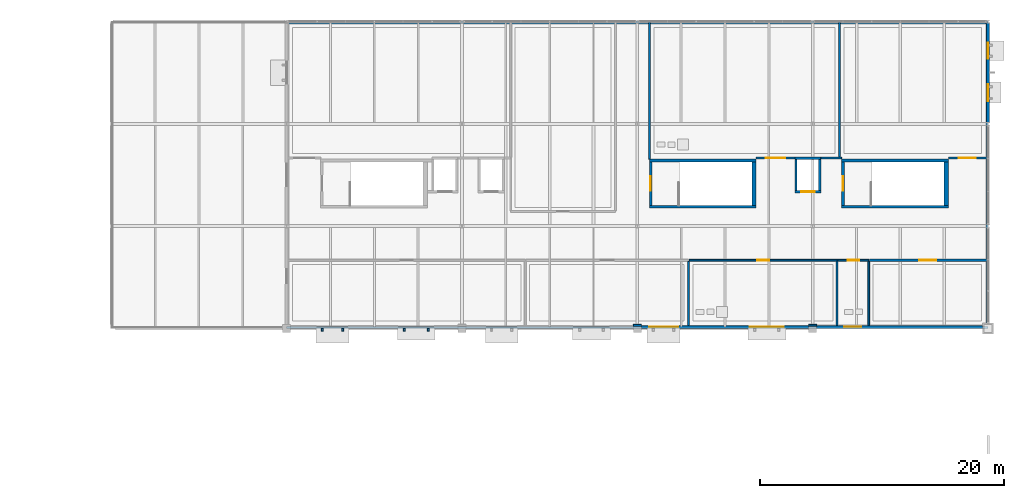
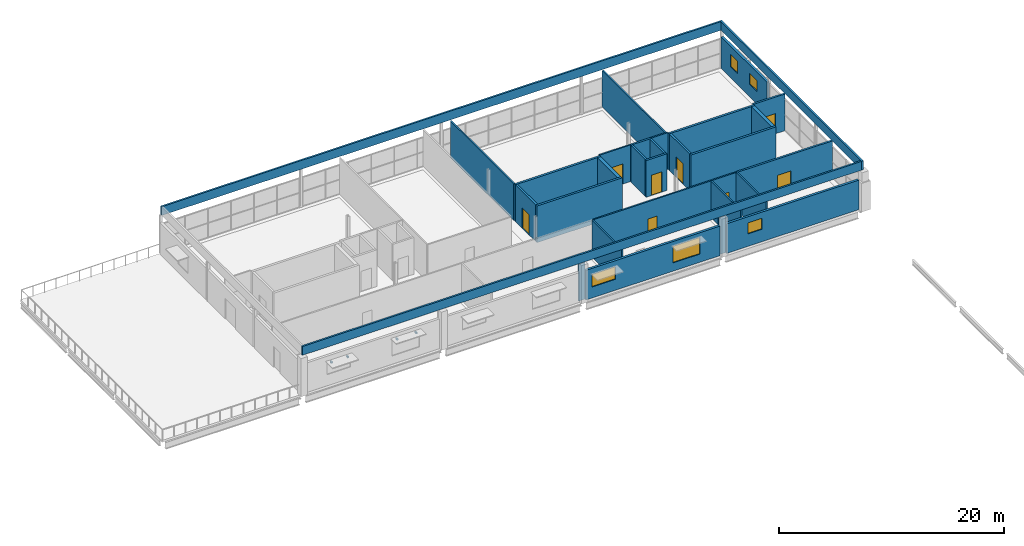
# One storey, part 40 of 43: 31 walls, 8 doors, 5 windows, 4 discrete accessories, 13 openings.
"""IFC4 building model written with IfcOpenShell, lengths in metres."""

from ifc_helpers import new_model, si_unit, direction, frame, frame_2d, origin, origin_2d, place, context, subcontext, project, spatial, rectangle, extrude, material, layer, layer_set, type_object, element, fill, save


model = new_model("IFC4")

# Units and contexts
model_context = context("Model", 3, precision=1e-05, world=origin(), true_north=direction((0.0, 1.0)))
body_context = subcontext(model_context, "Body", "Model", "MODEL_VIEW")
ifc_project = project(units=[si_unit("LENGTHUNIT", "METRE"), si_unit("AREAUNIT", "SQUARE_METRE"), si_unit("VOLUMEUNIT", "CUBIC_METRE"), si_unit("PLANEANGLEUNIT", "RADIAN"), si_unit("MASSUNIT", "GRAM", prefix="KILO"), si_unit("THERMODYNAMICTEMPERATUREUNIT", "KELVIN")], contexts=[model_context])

# Site, building, storey
site_placement = place(None, origin())
site = spatial("IfcSite", under=ifc_project, at=site_placement, CompositionType="ELEMENT")
building_placement = place(site_placement, origin())
building = spatial("IfcBuilding", under=site, at=building_placement, Name="Nduvali Passage Aquatics Centre", CompositionType="ELEMENT")
storey_placement = place(building_placement, frame((0.0, 0.0, 17.39990234375)))
storey = spatial("IfcBuildingStorey", under=building, at=storey_placement, Name="L04", CompositionType="ELEMENT", Elevation=17.39990234375)

# Walls
ifc_material_1 = material(Name="Coral-stone masonry blockwork", Category="masonry")
ifc_layer_1 = layer(ifc_material_1, 0.179931640625, Name="Coral-stone masonry blockwork")
ifc_layer_set_1 = layer_set([ifc_layer_1], Name="Coral-stone masonry blockwork")
wall_type_1 = type_object("IfcWallType", Name="ENV-WAL-PAR180", PredefinedType="PARAPET", material=ifc_layer_set_1)
wall_1_placement = place(storey_placement, frame((68.39990234375, 117.510009765625, 4.2001953125), z_axis=(0.0, 0.0, 1.0), x_axis=(1.0, 0.0, 0.0)))
element("IfcWall", 1, at=wall_1_placement, inside=storey, type_object=wall_type_1, Name="V5 Main Roof North Parapet", PredefinedType="PARAPET", context=body_context, shape_type="SweptSolid", body=[
    extrude(rectangle(XDim=57.60009765625, YDim=0.179931640625, at=frame_2d((28.800048828125, 0.0))), origin(), (0.0, 0.0, 1.0), 0.949951171875),
])
wall_2_placement = place(storey_placement, frame((125.909912109375, 92.39990234375, 4.2001953125), z_axis=(0.0, 0.0, 1.0), x_axis=(0.0, 1.0, 0.0)))
element("IfcWall", 2, at=wall_2_placement, inside=storey, type_object=wall_type_1, Name="V5 Main Roof East Parapet", PredefinedType="PARAPET", context=body_context, shape_type="SweptSolid", body=[
    extrude(rectangle(XDim=25.2001953125, YDim=0.179931640625, at=frame_2d((12.60009765625, 0.0))), origin(), (0.0, 0.0, 1.0), 0.949951171875),
])
wall_3_placement = place(storey_placement, frame((68.39990234375, 92.489990234375, 4.2001953125), z_axis=(0.0, 0.0, 1.0), x_axis=(1.0, 0.0, 0.0)))
element("IfcWall", 3, at=wall_3_placement, inside=storey, type_object=wall_type_1, Name="V5 Main Roof South Parapet", PredefinedType="PARAPET", context=body_context, shape_type="SweptSolid", body=[
    extrude(rectangle(XDim=57.60009765625, YDim=0.179931640625, at=frame_2d((28.800048828125, 0.0))), origin(), (0.0, 0.0, 1.0), 0.949951171875),
])

# Wall, openings, windows
ifc_material_2 = material(Name="Precast concrete C40/50", Category="concrete")
ifc_layer_2 = layer(ifc_material_2, 0.239990234375, Name="Precast concrete C40/50")
ifc_layer_set_2 = layer_set([ifc_layer_2], Name="Precast concrete C40/50")
wall_type_2 = type_object("IfcWallType", Name="ENV-WAL-SPAND240", PredefinedType="STANDARD", material=ifc_layer_set_2)
wall_4_placement = place(storey_placement, frame((126.0, 109.330078125, 0.0), z_axis=(0.0, 0.0, 1.0), x_axis=(0.0, 1.0, 0.0)))
wall_4 = element("IfcWall", 4, at=wall_4_placement, inside=storey, type_object=wall_type_2, Name="L04 North Wing East Facade 0083", PredefinedType="STANDARD", context=body_context, shape_type="SweptSolid", body=[
    extrude(rectangle(XDim=8.155029296875, YDim=0.239990234375, at=frame_2d((4.07763671875, 0.0))), origin(), (0.0, 0.0, 1.0), 3.4365234375),
])
opening_1_placement = place(wall_4_placement, frame((1.7470703125, 0.0, 1.35009765625)))
opening_1 = element("IfcOpeningElement", 5, at=opening_1_placement, cuts=wall_4, Name="Opening W13", PredefinedType="OPENING", context=body_context, shape_type="SweptSolid", body=[
    extrude(rectangle(XDim=1.39990234375, YDim=1.199951171875, at=frame_2d((0.699951171875, 0.60009765625))), frame((0.0, 0.134765625, 0.0), z_axis=(0.0, -1.0, 0.0), x_axis=(1.0, 0.0, 0.0)), (0.0, 0.0, 1.0), 0.269775390625),
])
opening_2_placement = place(wall_4_placement, frame((5.221923828125, 0.0, 1.199951171875)))
opening_2 = element("IfcOpeningElement", 6, at=opening_2_placement, cuts=wall_4, Name="Opening W18", PredefinedType="OPENING", context=body_context, shape_type="SweptSolid", body=[
    extrude(rectangle(XDim=1.300048828125, YDim=1.35009765625, at=frame_2d((0.64990234375, 0.675048828125))), frame((0.0, 0.134765625, 0.0), z_axis=(0.0, -1.0, 0.0), x_axis=(1.0, 0.0, 0.0)), (0.0, 0.0, 1.0), 0.269775390625),
])
ifc_material_3 = material(Name="Aluminium-framed solar-control low-E IGU", Category="aluminium")
window_type_1 = type_object("IfcWindowType", Name="ENV-WIN-W13", PartitioningType="SINGLE_PANEL", PredefinedType="WINDOW", material=ifc_material_3)
window_1_placement = place(opening_1_placement, origin())
window_1 = element("IfcWindow", 7, at=window_1_placement, inside=storey, type_object=window_type_1, Name="L04 Exterior Window W13-0075", OverallHeight=1.199951171875, OverallWidth=1.39990234375, PartitioningType="SINGLE_PANEL", PredefinedType="WINDOW", context=body_context, shape_type="SweptSolid", body=[
    extrude(rectangle(XDim=1.39990234375, YDim=1.199951171875, at=frame_2d((0.699951171875, 0.60009765625))), frame((0.0, 0.030029296875, 0.0), z_axis=(0.0, -1.0, 0.0), x_axis=(1.0, 0.0, 0.0)), (0.0, 0.0, 1.0), 0.06005859375),
])
fill(opening_1, window_1)
window_type_2 = type_object("IfcWindowType", Name="ENV-WIN-W18", PartitioningType="SINGLE_PANEL", PredefinedType="WINDOW", material=ifc_material_3)
window_2_placement = place(opening_2_placement, origin())
window_2 = element("IfcWindow", 8, at=window_2_placement, inside=storey, type_object=window_type_2, Name="L04 Exterior Window W18-0076", OverallHeight=1.35009765625, OverallWidth=1.300048828125, PartitioningType="SINGLE_PANEL", PredefinedType="WINDOW", context=body_context, shape_type="SweptSolid", body=[
    extrude(rectangle(XDim=1.300048828125, YDim=1.35009765625, at=frame_2d((0.64990234375, 0.675048828125))), frame((0.0, 0.030029296875, 0.0), z_axis=(0.0, -1.0, 0.0), x_axis=(1.0, 0.0, 0.0)), (0.0, 0.0, 1.0), 0.06005859375),
])
fill(opening_2, window_2)

wall_5_placement = place(storey_placement, frame((97.52490234375, 92.530029296875, 0.0), z_axis=(0.0, 0.0, 1.0), x_axis=(1.0, 0.0, 0.0)))
wall_5 = element("IfcWall", 9, at=wall_5_placement, inside=storey, type_object=wall_type_2, Name="L04 North Wing L04 South Wall 0086", PredefinedType="STANDARD", context=body_context, shape_type="SweptSolid", body=[
    extrude(rectangle(XDim=13.75, YDim=0.239990234375, at=frame_2d((6.875, 0.0))), origin(), (0.0, 0.0, 1.0), 3.2138671875),
])
opening_3_placement = place(wall_5_placement, frame((0.636962890625, 0.0, 1.199951171875)))
opening_3 = element("IfcOpeningElement", 10, at=opening_3_placement, cuts=wall_5, Name="Opening W9", PredefinedType="OPENING", context=body_context, shape_type="SweptSolid", body=[
    extrude(rectangle(XDim=2.39990234375, YDim=1.35009765625, at=frame_2d((1.199951171875, 0.675048828125))), frame((0.0, 0.134765625, 0.0), z_axis=(0.0, -1.0, 0.0), x_axis=(1.0, 0.0, 0.0)), (0.0, 0.0, 1.0), 0.269775390625),
])
opening_4_placement = place(wall_5_placement, frame((8.912109375, 0.0, 0.89990234375)))
opening_4 = element("IfcOpeningElement", 11, at=opening_4_placement, cuts=wall_5, Name="Opening W14", PredefinedType="OPENING", context=body_context, shape_type="SweptSolid", body=[
    extrude(rectangle(XDim=2.800048828125, YDim=1.800048828125, at=frame_2d((1.39990234375, 0.89990234375))), frame((0.0, 0.134765625, 0.0), z_axis=(0.0, -1.0, 0.0), x_axis=(1.0, 0.0, 0.0)), (0.0, 0.0, 1.0), 0.269775390625),
])
window_type_3 = type_object("IfcWindowType", Name="ENV-WIN-W14", PartitioningType="SINGLE_PANEL", PredefinedType="WINDOW", material=ifc_material_3)
window_3_placement = place(opening_4_placement, origin())
window_3 = element("IfcWindow", 12, at=window_3_placement, inside=storey, type_object=window_type_3, Name="L04 Exterior Window W14-0082", OverallHeight=1.800048828125, OverallWidth=2.800048828125, PartitioningType="SINGLE_PANEL", PredefinedType="WINDOW", context=body_context, shape_type="SweptSolid", body=[
    extrude(rectangle(XDim=2.800048828125, YDim=1.800048828125, at=frame_2d((1.39990234375, 0.89990234375))), frame((0.0, 0.030029296875, 0.0), z_axis=(0.0, -1.0, 0.0), x_axis=(1.0, 0.0, 0.0)), (0.0, 0.0, 1.0), 0.06005859375),
])
fill(opening_4, window_3)
window_type_4 = type_object("IfcWindowType", Name="ENV-WIN-W9", PartitioningType="SINGLE_PANEL", PredefinedType="WINDOW", material=ifc_material_3)
window_4_placement = place(opening_3_placement, origin())
window_4 = element("IfcWindow", 13, at=window_4_placement, inside=storey, type_object=window_type_4, Name="L04 Exterior Window W9-0081", OverallHeight=1.35009765625, OverallWidth=2.39990234375, PartitioningType="SINGLE_PANEL", PredefinedType="WINDOW", context=body_context, shape_type="SweptSolid", body=[
    extrude(rectangle(XDim=2.39990234375, YDim=1.35009765625, at=frame_2d((1.199951171875, 0.675048828125))), frame((0.0, 0.030029296875, 0.0), z_axis=(0.0, -1.0, 0.0), x_axis=(1.0, 0.0, 0.0)), (0.0, 0.0, 1.0), 0.06005859375),
])
fill(opening_3, window_4)

# Wall, opening, window
wall_6_placement = place(storey_placement, frame((111.925048828125, 92.530029296875, 0.0), z_axis=(0.0, 0.0, 1.0), x_axis=(1.0, 0.0, 0.0)))
wall_6 = element("IfcWall", 14, at=wall_6_placement, inside=storey, type_object=wall_type_2, Name="L04 North Wing L04 South Wall 0087", PredefinedType="STANDARD", context=body_context, shape_type="SweptSolid", body=[
    extrude(rectangle(XDim=13.625, YDim=0.239990234375, at=frame_2d((6.8125, 0.0))), origin(), (0.0, 0.0, 1.0), 3.2138671875),
])
opening_5_placement = place(wall_6_placement, frame((2.2529296875, 0.0, 1.35009765625)))
opening_5 = element("IfcOpeningElement", 15, at=opening_5_placement, cuts=wall_6, Name="Opening W13", PredefinedType="OPENING", context=body_context, shape_type="SweptSolid", body=[
    extrude(rectangle(XDim=1.39990234375, YDim=1.199951171875, at=frame_2d((0.699951171875, 0.60009765625))), frame((0.0, 0.134765625, 0.0), z_axis=(0.0, -1.0, 0.0), x_axis=(1.0, 0.0, 0.0)), (0.0, 0.0, 1.0), 0.269775390625),
])
window_5_placement = place(opening_5_placement, origin())
window_5 = element("IfcWindow", 16, at=window_5_placement, inside=storey, type_object=window_type_1, Name="L04 Exterior Window W13-0083", OverallHeight=1.199951171875, OverallWidth=1.39990234375, PartitioningType="SINGLE_PANEL", PredefinedType="WINDOW", context=body_context, shape_type="SweptSolid", body=[
    extrude(rectangle(XDim=1.39990234375, YDim=1.199951171875, at=frame_2d((0.699951171875, 0.60009765625))), frame((0.0, 0.030029296875, 0.0), z_axis=(0.0, -1.0, 0.0), x_axis=(1.0, 0.0, 0.0)), (0.0, 0.0, 1.0), 0.06005859375),
])
fill(opening_5, window_5)

# Wall, opening, door
ifc_layer_3 = layer(ifc_material_1, 0.199951171875, Name="Coral-stone masonry blockwork")
ifc_layer_set_3 = layer_set([ifc_layer_3], Name="Coral-stone masonry blockwork")
wall_type_3 = type_object("IfcWallType", Name="INT-WAL-COMP200", PredefinedType="PARTITIONING", material=ifc_layer_set_3)
wall_7_placement = place(storey_placement, frame((122.75, 106.39990234375, 0.0), z_axis=(0.0, 0.0, 1.0), x_axis=(1.0, 0.0, 0.0)))
wall_7 = element("IfcWall", 17, at=wall_7_placement, inside=storey, type_object=wall_type_3, Name="L04 Upper Wing Heat-Recovery AHU Mechanical Plant Room Partition 0240", PredefinedType="PARTITIONING", context=body_context, shape_type="SweptSolid", body=[
    extrude(rectangle(XDim=3.22998046875, YDim=0.199951171875, at=frame_2d((1.614990234375, 0.0))), origin(), (0.0, 0.0, 1.0), 3.97998046875),
])
opening_6_placement = place(wall_7_placement, frame((0.844970703125, 0.0, 0.0)))
opening_6 = element("IfcOpeningElement", 18, at=opening_6_placement, cuts=wall_7, Name="Opening FD-P1", PredefinedType="OPENING", context=body_context, shape_type="SweptSolid", body=[
    extrude(rectangle(XDim=1.39990234375, YDim=2.199951171875, at=frame_2d((0.699951171875, 1.10009765625))), frame((0.0, 0.11474609375, 0.0), z_axis=(0.0, -1.0, 0.0), x_axis=(1.0, 0.0, 0.0)), (0.0, 0.0, 1.0), 0.229736328125),
])
ifc_material_4 = material(Name="Galvanised steel door", Category="steel")
door_type_1 = type_object("IfcDoorType", Name="INT-DR-PLNT140", OperationType="DOUBLE_DOOR_SINGLE_SWING", PredefinedType="DOOR", material=ifc_material_4)
door_1_placement = place(opening_6_placement, origin())
door_1 = element("IfcDoor", 19, at=door_1_placement, inside=storey, type_object=door_type_1, Name="L04 Upper Wing Heat-Recovery AHU Mechanical Plant Room Door 0082", OperationType="DOUBLE_DOOR_SINGLE_SWING", OverallHeight=2.199951171875, OverallWidth=1.39990234375, PredefinedType="DOOR", context=body_context, shape_type="SweptSolid", body=[
    extrude(rectangle(XDim=1.39990234375, YDim=2.199951171875, at=frame_2d((0.699951171875, 1.10009765625))), frame((0.0, 0.02490234375, 0.0), z_axis=(0.0, -1.0, 0.0), x_axis=(1.0, 0.0, 0.0)), (0.0, 0.0, 1.0), 0.050048828125),
])
fill(opening_6, door_1)

wall_8_placement = place(storey_placement, frame((116.27490234375, 98.0, 0.0), z_axis=(0.0, 0.0, 1.0), x_axis=(1.0, 0.0, 0.0)))
wall_8 = element("IfcWall", 20, at=wall_8_placement, inside=storey, type_object=wall_type_3, Name="L04 Recovery Wellness Linen and Mat Store Partition 0252", PredefinedType="PARTITIONING", context=body_context, shape_type="SweptSolid", body=[
    extrude(rectangle(XDim=9.705078125, YDim=0.199951171875, at=frame_2d((4.8525390625, 0.0))), origin(), (0.0, 0.0, 1.0), 3.97998046875),
])
opening_7_placement = place(wall_8_placement, frame((4.08203125, 0.0, 0.0)))
opening_7 = element("IfcOpeningElement", 21, at=opening_7_placement, cuts=wall_8, Name="Opening FD-P1", PredefinedType="OPENING", context=body_context, shape_type="SweptSolid", body=[
    extrude(rectangle(XDim=1.39990234375, YDim=2.199951171875, at=frame_2d((0.699951171875, 1.10009765625))), frame((0.0, 0.11474609375, 0.0), z_axis=(0.0, -1.0, 0.0), x_axis=(1.0, 0.0, 0.0)), (0.0, 0.0, 1.0), 0.229736328125),
])
door_2_placement = place(opening_7_placement, frame((1.39990234375, 0.0, 0.0), z_axis=(0.0, 0.0, 1.0), x_axis=(-1.0, 0.0, 0.0)))
door_2 = element("IfcDoor", 22, at=door_2_placement, inside=storey, type_object=door_type_1, Name="L04 Recovery Wellness Linen and Mat Store Door 0087", OperationType="DOUBLE_DOOR_SINGLE_SWING", OverallHeight=2.199951171875, OverallWidth=1.39990234375, PredefinedType="DOOR", context=body_context, shape_type="SweptSolid", body=[
    extrude(rectangle(XDim=1.39990234375, YDim=2.199951171875, at=frame_2d((0.699951171875, 1.10009765625))), frame((0.0, 0.02490234375, 0.0), z_axis=(0.0, -1.0, 0.0), x_axis=(1.0, 0.0, 0.0)), (0.0, 0.0, 1.0), 0.050048828125),
])
fill(opening_7, door_2)

# Walls
ifc_material_5 = material(Name="Concrete C40/50", Category="concrete")
ifc_layer_4 = layer(ifc_material_5, 0.219970703125, Name="Concrete C40/50")
ifc_layer_set_4 = layer_set([ifc_layer_4], Name="Concrete C40/50")
wall_type_4 = type_object("IfcWallType", Name="INT-WAL-CORE220", PredefinedType="SOLIDWALL", material=ifc_layer_set_4)
for number, where, z_axis, x_axis, name in (
    (23, (113.97998046875, 102.389892578125, 0.0), (0.0, 0.0, 1.0), (1.0, 0.0, 0.0), "L04 Stair ST2 Core Wall S"),
    (24, (122.75, 106.199951171875, 0.0), (0.0, 0.0, 1.0), (-1.0, 0.0, 0.0), "L04 Stair ST2 Core Wall N"),
):
    element("IfcWall", number, at=place(storey_placement, frame(where, z_axis=z_axis, x_axis=x_axis)), inside=storey, type_object=wall_type_4, Name=name, PredefinedType="SOLIDWALL", context=body_context, shape_type="SweptSolid", body=[
        extrude(rectangle(XDim=8.77001953125, YDim=0.219970703125, at=frame_2d((4.385009765625, 0.0))), origin(), (0.0, 0.0, 1.0), 3.97998046875),
    ])

# Wall, opening, door
wall_9_placement = place(storey_placement, frame((114.090087890625, 106.090087890625, 0.0), z_axis=(0.0, 0.0, 1.0), x_axis=(0.0, -1.0, 0.0)))
wall_9 = element("IfcWall", 25, at=wall_9_placement, inside=storey, type_object=wall_type_4, Name="L04 Stair ST2 Core Wall W", PredefinedType="SOLIDWALL", context=body_context, shape_type="SweptSolid", body=[
    extrude(rectangle(XDim=3.590087890625, YDim=0.219970703125, at=frame_2d((1.794921875, 0.0))), origin(), (0.0, 0.0, 1.0), 3.97998046875),
])
opening_8_placement = place(wall_9_placement, frame((1.195068359375, 0.0, 0.0)))
opening_8 = element("IfcOpeningElement", 26, at=opening_8_placement, cuts=wall_9, Name="Opening FD-ST2", PredefinedType="OPENING", context=body_context, shape_type="SweptSolid", body=[
    extrude(rectangle(XDim=1.199951171875, YDim=2.199951171875, at=frame_2d((0.60009765625, 1.10009765625))), frame((0.0, 0.125, 0.0), z_axis=(0.0, -1.0, 0.0), x_axis=(1.0, 0.0, 0.0)), (0.0, 0.0, 1.0), 0.249755859375),
])
door_type_2 = type_object("IfcDoorType", Name="INT-DR-ST120", OperationType="NOTDEFINED", PredefinedType="DOOR", material=ifc_material_4)
door_3_placement = place(opening_8_placement, frame((1.199951171875, 0.0, 0.0), z_axis=(0.0, 0.0, 1.0), x_axis=(-1.0, 0.0, 0.0)))
door_3 = element("IfcDoor", 27, at=door_3_placement, inside=storey, type_object=door_type_2, Name="L04 Stair ST2 Fire Lobby Door", OperationType="SINGLE_SWING_LEFT", OverallHeight=2.199951171875, OverallWidth=1.199951171875, PredefinedType="DOOR", context=body_context, shape_type="SweptSolid", body=[
    extrude(rectangle(XDim=1.199951171875, YDim=2.199951171875, at=frame_2d((0.60009765625, 1.10009765625))), frame((0.0, 0.02490234375, 0.0), z_axis=(0.0, -1.0, 0.0), x_axis=(1.0, 0.0, 0.0)), (0.0, 0.0, 1.0), 0.050048828125),
])
fill(opening_8, door_3)

# Walls
for number, where, z_axis, x_axis, name in (
    (28, (98.179931640625, 102.389892578125, 0.0), (0.0, 0.0, 1.0), (1.0, 0.0, 0.0), "L04 Stair ST11 Core Wall S"),
    (29, (106.949951171875, 106.199951171875, 0.0), (0.0, 0.0, 1.0), (-1.0, 0.0, 0.0), "L04 Stair ST11 Core Wall N"),
):
    element("IfcWall", number, at=place(storey_placement, frame(where, z_axis=z_axis, x_axis=x_axis)), inside=storey, type_object=wall_type_4, Name=name, PredefinedType="SOLIDWALL", context=body_context, shape_type="SweptSolid", body=[
        extrude(rectangle(XDim=8.77001953125, YDim=0.219970703125, at=frame_2d((4.385009765625, 0.0))), origin(), (0.0, 0.0, 1.0), 3.97998046875),
    ])

# Wall, opening, door
wall_10_placement = place(storey_placement, frame((98.2900390625, 106.090087890625, 0.0), z_axis=(0.0, 0.0, 1.0), x_axis=(0.0, -1.0, 0.0)))
wall_10 = element("IfcWall", 30, at=wall_10_placement, inside=storey, type_object=wall_type_4, Name="L04 Stair ST11 Core Wall W", PredefinedType="SOLIDWALL", context=body_context, shape_type="SweptSolid", body=[
    extrude(rectangle(XDim=3.590087890625, YDim=0.219970703125, at=frame_2d((1.794921875, 0.0))), origin(), (0.0, 0.0, 1.0), 3.97998046875),
])
opening_9_placement = place(wall_10_placement, frame((1.195068359375, 0.0, 0.0)))
opening_9 = element("IfcOpeningElement", 31, at=opening_9_placement, cuts=wall_10, Name="Opening FD-ST2", PredefinedType="OPENING", context=body_context, shape_type="SweptSolid", body=[
    extrude(rectangle(XDim=1.199951171875, YDim=2.199951171875, at=frame_2d((0.60009765625, 1.10009765625))), frame((0.0, 0.125, 0.0), z_axis=(0.0, -1.0, 0.0), x_axis=(1.0, 0.0, 0.0)), (0.0, 0.0, 1.0), 0.249755859375),
])
door_4_placement = place(opening_9_placement, frame((1.199951171875, 0.0, 0.0), z_axis=(0.0, 0.0, 1.0), x_axis=(-1.0, 0.0, 0.0)))
door_4 = element("IfcDoor", 32, at=door_4_placement, inside=storey, type_object=door_type_2, Name="L04 Stair ST11 Fire Lobby Door", OperationType="SINGLE_SWING_RIGHT", OverallHeight=2.199951171875, OverallWidth=1.199951171875, PredefinedType="DOOR", context=body_context, shape_type="SweptSolid", body=[
    extrude(rectangle(XDim=1.199951171875, YDim=2.199951171875, at=frame_2d((0.60009765625, 1.10009765625))), frame((0.0, 0.02490234375, 0.0), z_axis=(0.0, -1.0, 0.0), x_axis=(1.0, 0.0, 0.0)), (0.0, 0.0, 1.0), 0.050048828125),
])
fill(opening_9, door_4)

# Walls
ifc_material_6 = material(Name="Gypsum fire-rated stud partition")
ifc_layer_5 = layer(ifc_material_6, 0.159912109375, Name="Gypsum fire-rated stud partition")
ifc_layer_set_5 = layer_set([ifc_layer_5], Name="Gypsum fire-rated stud partition")
wall_type_5 = type_object("IfcWallType", Name="INT-WAL-FIRE160", PredefinedType="PARTITIONING", material=ifc_layer_set_5)
wall_11_placement = place(storey_placement, frame((96.875, 92.659912109375, 0.0), z_axis=(0.0, 0.0, 1.0), x_axis=(1.0, 0.0, 0.0)))
element("IfcWall", 33, at=wall_11_placement, inside=storey, type_object=wall_type_5, Name="L04 Sports Psychology and Video Biomechanics Suite Partition 0245", PredefinedType="PARTITIONING", context=body_context, shape_type="SweptSolid", body=[
    extrude(rectangle(XDim=0.64990234375, YDim=0.159912109375, at=frame_2d((0.324951171875, 0.0))), origin(), (0.0, 0.0, 1.0), 3.97998046875),
])
wall_12_placement = place(storey_placement, frame((101.39990234375, 92.64990234375, 0.0), z_axis=(0.0, 0.0, 1.0), x_axis=(0.0, 1.0, 0.0)))
element("IfcWall", 34, at=wall_12_placement, inside=storey, type_object=wall_type_5, Name="L04 Sports Psychology and Video Biomechanics Suite Partition 0246", PredefinedType="PARTITIONING", context=body_context, shape_type="SweptSolid", body=[
    extrude(rectangle(XDim=5.27001953125, YDim=0.159912109375, at=frame_2d((2.635009765625, 0.0))), origin(), (0.0, 0.0, 1.0), 3.97998046875),
])

# Wall, opening, door
ifc_layer_6 = layer(ifc_material_5, 0.18994140625, Name="Concrete C40/50")
ifc_layer_set_6 = layer_set([ifc_layer_6], Name="Concrete C40/50")
wall_type_6 = type_object("IfcWallType", Name="INT-WAL-SHAFT200", PredefinedType="SOLIDWALL", material=ifc_layer_set_6)
wall_13_placement = place(storey_placement, frame((110.1298828125, 103.625, 0.0), z_axis=(0.0, 0.0, 1.0), x_axis=(1.0, 0.0, 0.0)))
wall_13 = element("IfcWall", 35, at=wall_13_placement, inside=storey, type_object=wall_type_6, Name="L04 Lift L3 Shaft Wall S", PredefinedType="SOLIDWALL", context=body_context, shape_type="SweptSolid", body=[
    extrude(rectangle(XDim=2.14013671875, YDim=0.18994140625, at=frame_2d((1.070068359375, 0.0))), origin(), (0.0, 0.0, 1.0), 3.97998046875),
])
opening_10_placement = place(wall_13_placement, frame((0.52001953125, 0.0, 0.0)))
opening_10 = element("IfcOpeningElement", 36, at=opening_10_placement, cuts=wall_13, Name="Opening LD3", PredefinedType="OPENING", context=body_context, shape_type="SweptSolid", body=[
    extrude(rectangle(XDim=1.10009765625, YDim=2.199951171875, at=frame_2d((0.550048828125, 1.10009765625))), frame((0.0, 0.10986328125, 0.0), z_axis=(0.0, -1.0, 0.0), x_axis=(1.0, 0.0, 0.0)), (0.0, 0.0, 1.0), 0.2197265625),
])
ifc_material_7 = material(Name="Stainless steel landing door", Category="steel")
door_type_3 = type_object("IfcDoorType", Name="INT-DR-LD3", OperationType="DOUBLE_DOOR_SLIDING", PredefinedType="DOOR", material=ifc_material_7)
door_5_placement = place(opening_10_placement, origin())
door_5 = element("IfcDoor", 37, at=door_5_placement, inside=storey, type_object=door_type_3, Name="L04 Lift L3 Sliding Landing Door LD3", OperationType="DOUBLE_DOOR_SLIDING", OverallHeight=2.199951171875, OverallWidth=1.10009765625, PredefinedType="DOOR", context=body_context, shape_type="SweptSolid", body=[
    extrude(rectangle(XDim=1.10009765625, YDim=2.199951171875, at=frame_2d((0.550048828125, 1.10009765625))), frame((0.0, 0.02490234375, 0.0), z_axis=(0.0, -1.0, 0.0), x_axis=(1.0, 0.0, 0.0)), (0.0, 0.0, 1.0), 0.050048828125),
])
fill(opening_10, door_5)

# Walls
wall_14_placement = place(storey_placement, frame((112.175048828125, 103.719970703125, 0.0), z_axis=(0.0, 0.0, 1.0), x_axis=(0.0, 1.0, 0.0)))
element("IfcWall", 38, at=wall_14_placement, inside=storey, type_object=wall_type_6, Name="L04 Lift L3 Shaft Wall E", PredefinedType="SOLIDWALL", context=body_context, shape_type="SweptSolid", body=[
    extrude(rectangle(XDim=2.56005859375, YDim=0.18994140625, at=frame_2d((1.280029296875, 0.0))), origin(), (0.0, 0.0, 1.0), 3.97998046875),
])
wall_15_placement = place(storey_placement, frame((112.27001953125, 106.375, 0.0), z_axis=(0.0, 0.0, 1.0), x_axis=(-1.0, 0.0, 0.0)))
element("IfcWall", 39, at=wall_15_placement, inside=storey, type_object=wall_type_6, Name="L04 Lift L3 Shaft Wall N", PredefinedType="SOLIDWALL", context=body_context, shape_type="SweptSolid", body=[
    extrude(rectangle(XDim=2.14013671875, YDim=0.18994140625, at=frame_2d((1.070068359375, 0.0))), origin(), (0.0, 0.0, 1.0), 3.97998046875),
])
wall_16_placement = place(storey_placement, frame((110.22509765625, 106.280029296875, 0.0), z_axis=(0.0, 0.0, 1.0), x_axis=(0.0, -1.0, 0.0)))
element("IfcWall", 40, at=wall_16_placement, inside=storey, type_object=wall_type_6, Name="L04 Lift L3 Shaft Wall W", PredefinedType="SOLIDWALL", context=body_context, shape_type="SweptSolid", body=[
    extrude(rectangle(XDim=2.56005859375, YDim=0.18994140625, at=frame_2d((1.280029296875, 0.0))), origin(), (0.0, 0.0, 1.0), 3.97998046875),
])

# Wall, opening, door
ifc_layer_7 = layer(ifc_material_1, 0.14990234375, Name="Coral-stone masonry blockwork")
ifc_layer_set_7 = layer_set([ifc_layer_7], Name="Coral-stone masonry blockwork")
wall_type_7 = type_object("IfcWallType", Name="INT-WAL-WET150", PredefinedType="PLUMBINGWALL", material=ifc_layer_set_7)
wall_17_placement = place(storey_placement, frame((106.949951171875, 106.39990234375, 0.0), z_axis=(0.0, 0.0, 1.0), x_axis=(1.0, 0.0, 0.0)))
wall_17 = element("IfcWall", 41, at=wall_17_placement, inside=storey, type_object=wall_type_7, Name="L04 Contrast Hydro-Thermal Plunge and Sauna Suite Partition 0236", PredefinedType="PLUMBINGWALL", context=body_context, shape_type="SweptSolid", body=[
    extrude(rectangle(XDim=3.179931640625, YDim=0.14990234375, at=frame_2d((1.58984375, 0.0))), origin(), (0.0, 0.0, 1.0), 3.97998046875),
])
opening_11_placement = place(wall_17_placement, frame((0.794921875, 0.0, 0.0)))
opening_11 = element("IfcOpeningElement", 42, at=opening_11_placement, cuts=wall_17, Name="Opening ID4", PredefinedType="OPENING", context=body_context, shape_type="SweptSolid", body=[
    extrude(rectangle(XDim=1.60009765625, YDim=2.199951171875, at=frame_2d((0.800048828125, 1.10009765625))), frame((0.0, 0.08984375, 0.0), z_axis=(0.0, -1.0, 0.0), x_axis=(1.0, 0.0, 0.0)), (0.0, 0.0, 1.0), 0.1796875),
])
ifc_material_8 = material(Name="Aluminium-framed glazed door", Category="aluminium")
door_type_4 = type_object("IfcDoorType", Name="INT-DR-DBL160", OperationType="DOUBLE_DOOR_SINGLE_SWING", PredefinedType="DOOR", material=ifc_material_8)
door_6_placement = place(opening_11_placement, frame((1.60009765625, 0.0, 0.0), z_axis=(0.0, 0.0, 1.0), x_axis=(-1.0, 0.0, 0.0)))
door_6 = element("IfcDoor", 43, at=door_6_placement, inside=storey, type_object=door_type_4, Name="L04 Contrast Hydro-Thermal Plunge and Sauna Suite Door 0081", OperationType="DOUBLE_DOOR_SINGLE_SWING", OverallHeight=2.199951171875, OverallWidth=1.60009765625, PredefinedType="DOOR", context=body_context, shape_type="SweptSolid", body=[
    extrude(rectangle(XDim=1.60009765625, YDim=2.199951171875, at=frame_2d((0.800048828125, 1.10009765625))), frame((0.0, 0.02490234375, 0.0), z_axis=(0.0, -1.0, 0.0), x_axis=(1.0, 0.0, 0.0)), (0.0, 0.0, 1.0), 0.050048828125),
])
fill(opening_11, door_6)

# Walls
wall_18_placement = place(storey_placement, frame((112.27001953125, 106.39990234375, 0.0), z_axis=(0.0, 0.0, 1.0), x_axis=(1.0, 0.0, 0.0)))
element("IfcWall", 44, at=wall_18_placement, inside=storey, type_object=wall_type_7, Name="L04 Contrast Hydro-Thermal Plunge and Sauna Suite Partition 0237", PredefinedType="PLUMBINGWALL", context=body_context, shape_type="SweptSolid", body=[
    extrude(rectangle(XDim=1.7099609375, YDim=0.14990234375, at=frame_2d((0.85498046875, 0.0))), origin(), (0.0, 0.0, 1.0), 3.97998046875),
])
wall_19_placement = place(storey_placement, frame((98.199951171875, 106.31005859375, 0.0), z_axis=(0.0, 0.0, 1.0), x_axis=(0.0, 1.0, 0.0)))
element("IfcWall", 45, at=wall_19_placement, inside=storey, type_object=wall_type_7, Name="L04 Contrast Hydro-Thermal Plunge and Sauna Suite Partition 0238", PredefinedType="PLUMBINGWALL", context=body_context, shape_type="SweptSolid", body=[
    extrude(rectangle(XDim=11.27001953125, YDim=0.14990234375, at=frame_2d((5.635009765625, 0.0))), origin(), (0.0, 0.0, 1.0), 3.97998046875),
])
wall_20_placement = place(storey_placement, frame((113.800048828125, 106.47509765625, 0.0), z_axis=(0.0, 0.0, 1.0), x_axis=(0.0, 1.0, 0.0)))
element("IfcWall", 46, at=wall_20_placement, inside=storey, type_object=wall_type_7, Name="L04 Contrast Hydro-Thermal Plunge and Sauna Suite Partition 0239", PredefinedType="PLUMBINGWALL", context=body_context, shape_type="SweptSolid", body=[
    extrude(rectangle(XDim=11.10498046875, YDim=0.14990234375, at=frame_2d((5.552490234375, 0.0))), origin(), (0.0, 0.0, 1.0), 3.97998046875),
])

# Wall, opening, door
wall_21_placement = place(storey_placement, frame((101.47998046875, 98.0, 0.0), z_axis=(0.0, 0.0, 1.0), x_axis=(1.0, 0.0, 0.0)))
wall_21 = element("IfcWall", 47, at=wall_21_placement, inside=storey, type_object=wall_type_7, Name="L04 L04 Wellness Toilets and Changing Partition 0247", PredefinedType="PLUMBINGWALL", context=body_context, shape_type="SweptSolid", body=[
    extrude(rectangle(XDim=12.1201171875, YDim=0.14990234375, at=frame_2d((6.06005859375, 0.0))), origin(), (0.0, 0.0, 1.0), 3.97998046875),
])
opening_12_placement = place(wall_21_placement, frame((5.5849609375, 0.0, 0.0)))
opening_12 = element("IfcOpeningElement", 48, at=opening_12_placement, cuts=wall_21, Name="Opening ID3", PredefinedType="OPENING", context=body_context, shape_type="SweptSolid", body=[
    extrude(rectangle(XDim=0.949951171875, YDim=2.10009765625, at=frame_2d((0.47509765625, 1.050048828125))), frame((0.0, 0.08984375, 0.0), z_axis=(0.0, -1.0, 0.0), x_axis=(1.0, 0.0, 0.0)), (0.0, 0.0, 1.0), 0.1796875),
])
ifc_material_9 = material(Name="Timber solid-core door", Category="wood")
door_type_5 = type_object("IfcDoorType", Name="INT-DR-WC95", OperationType="NOTDEFINED", PredefinedType="DOOR", material=ifc_material_9)
door_7_placement = place(opening_12_placement, frame((0.949951171875, 0.0, 0.0), z_axis=(0.0, 0.0, 1.0), x_axis=(-1.0, 0.0, 0.0)))
door_7 = element("IfcDoor", 49, at=door_7_placement, inside=storey, type_object=door_type_5, Name="L04 L04 Wellness Toilets and Changing Door 0085", OperationType="SINGLE_SWING_RIGHT", OverallHeight=2.10009765625, OverallWidth=0.949951171875, PredefinedType="DOOR", context=body_context, shape_type="SweptSolid", body=[
    extrude(rectangle(XDim=0.949951171875, YDim=2.10009765625, at=frame_2d((0.47509765625, 1.050048828125))), frame((0.0, 0.02490234375, 0.0), z_axis=(0.0, -1.0, 0.0), x_axis=(1.0, 0.0, 0.0)), (0.0, 0.0, 1.0), 0.050048828125),
])
fill(opening_12, door_7)

# Walls
wall_22_placement = place(storey_placement, frame((111.27490234375, 92.659912109375, 0.0), z_axis=(0.0, 0.0, 1.0), x_axis=(1.0, 0.0, 0.0)))
element("IfcWall", 50, at=wall_22_placement, inside=storey, type_object=wall_type_7, Name="L04 L04 Wellness Toilets and Changing Partition 0248", PredefinedType="PLUMBINGWALL", context=body_context, shape_type="SweptSolid", body=[
    extrude(rectangle(XDim=0.650146484375, YDim=0.14990234375, at=frame_2d((0.3251953125, 0.0))), origin(), (0.0, 0.0, 1.0), 3.97998046875),
])
wall_23_placement = place(storey_placement, frame((113.60009765625, 92.64990234375, 0.0), z_axis=(0.0, 0.0, 1.0), x_axis=(0.0, 1.0, 0.0)))
element("IfcWall", 51, at=wall_23_placement, inside=storey, type_object=wall_type_7, Name="L04 L04 Wellness Toilets and Changing Partition 0249", PredefinedType="PLUMBINGWALL", context=body_context, shape_type="SweptSolid", body=[
    extrude(rectangle(XDim=5.275146484375, YDim=0.14990234375, at=frame_2d((2.6376953125, 0.0))), origin(), (0.0, 0.0, 1.0), 3.97998046875),
])

# Wall, opening, door
wall_24_placement = place(storey_placement, frame((113.675048828125, 98.0, 0.0), z_axis=(0.0, 0.0, 1.0), x_axis=(1.0, 0.0, 0.0)))
wall_24 = element("IfcWall", 52, at=wall_24_placement, inside=storey, type_object=wall_type_7, Name="L04 L04 Accessible WC Partition 0250", PredefinedType="PLUMBINGWALL", context=body_context, shape_type="SweptSolid", body=[
    extrude(rectangle(XDim=2.52490234375, YDim=0.14990234375, at=frame_2d((1.262451171875, 0.0))), origin(), (0.0, 0.0, 1.0), 3.97998046875),
])
opening_13_placement = place(wall_24_placement, frame((0.787109375, 0.0, 0.0)))
opening_13 = element("IfcOpeningElement", 53, at=opening_13_placement, cuts=wall_24, Name="Opening ID3", PredefinedType="OPENING", context=body_context, shape_type="SweptSolid", body=[
    extrude(rectangle(XDim=0.949951171875, YDim=2.10009765625, at=frame_2d((0.47509765625, 1.050048828125))), frame((0.0, 0.08984375, 0.0), z_axis=(0.0, -1.0, 0.0), x_axis=(1.0, 0.0, 0.0)), (0.0, 0.0, 1.0), 0.1796875),
])
door_8_placement = place(opening_13_placement, origin())
door_8 = element("IfcDoor", 54, at=door_8_placement, inside=storey, type_object=door_type_5, Name="L04 L04 Accessible WC Door 0086", OperationType="SINGLE_SWING_LEFT", OverallHeight=2.10009765625, OverallWidth=0.949951171875, PredefinedType="DOOR", context=body_context, shape_type="SweptSolid", body=[
    extrude(rectangle(XDim=0.949951171875, YDim=2.10009765625, at=frame_2d((0.47509765625, 1.050048828125))), frame((0.0, 0.02490234375, 0.0), z_axis=(0.0, -1.0, 0.0), x_axis=(1.0, 0.0, 0.0)), (0.0, 0.0, 1.0), 0.050048828125),
])
fill(opening_13, door_8)

# Walls
wall_25_placement = place(storey_placement, frame((116.199951171875, 92.64990234375, 0.0), z_axis=(0.0, 0.0, 1.0), x_axis=(0.0, 1.0, 0.0)))
element("IfcWall", 55, at=wall_25_placement, inside=storey, type_object=wall_type_7, Name="L04 L04 Accessible WC Partition 0251", PredefinedType="PLUMBINGWALL", context=body_context, shape_type="SweptSolid", body=[
    extrude(rectangle(XDim=5.275146484375, YDim=0.14990234375, at=frame_2d((2.6376953125, 0.0))), origin(), (0.0, 0.0, 1.0), 3.97998046875),
])
ifc_layer_8 = layer(ifc_material_5, 0.35009765625, Name="Concrete C40/50")
ifc_layer_set_8 = layer_set([ifc_layer_8], Name="Concrete C40/50")
wall_type_8 = type_object("IfcWallType", Name="STR-WAL-SHR350", PredefinedType="SHEAR", material=ifc_layer_set_8)
for number, where, z_axis, x_axis, name in (
    (56, (122.574951171875, 102.5, 0.0), (0.0, 0.0, 1.0), (0.0, 1.0, 0.0), "L04 Stair ST2 Core Shear Wall E"),
    (57, (106.77490234375, 102.5, 0.0), (0.0, 0.0, 1.0), (0.0, 1.0, 0.0), "L04 Stair ST11 Core Shear Wall E"),
):
    element("IfcWall", number, at=place(storey_placement, frame(where, z_axis=z_axis, x_axis=x_axis)), inside=storey, type_object=wall_type_8, Name=name, PredefinedType="SHEAR", context=body_context, shape_type="SweptSolid", body=[
        extrude(rectangle(XDim=3.590087890625, YDim=0.35009765625, at=frame_2d((1.794921875, 0.0))), origin(), (0.0, 0.0, 1.0), 3.97998046875),
    ])

# Discrete accessories
ifc_material_10 = material(Name="Steel S355", Category="steel")
discrete_accessory_type = type_object("IfcDiscreteAccessoryType", Name="ENV-BRK-S355", PredefinedType="BRACKET", material=ifc_material_10)
for number, where, z_axis, x_axis, name in (
    (58, (71.322021484375, 92.300048828125, 2.43017578125), (0.0, 0.0, 1.0), (1.0, 0.0, 0.0), "L04 Sunshade Bracket 0149"),
    (59, (73.001953125, 92.300048828125, 2.43017578125), (0.0, 0.0, 1.0), (1.0, 0.0, 0.0), "L04 Sunshade Bracket 0150"),
    (60, (78.056884765625, 92.300048828125, 2.5849609375), (0.0, 0.0, 1.0), (1.0, 0.0, 0.0), "L04 Sunshade Bracket 0151"),
    (61, (80.01708984375, 92.300048828125, 2.5849609375), (0.0, 0.0, 1.0), (1.0, 0.0, 0.0), "L04 Sunshade Bracket 0152"),
):
    element("IfcDiscreteAccessory", number, at=place(storey_placement, frame(where, z_axis=z_axis, x_axis=x_axis)), inside=storey, type_object=discrete_accessory_type, Name=name, PredefinedType="BRACKET", context=body_context, shape_type="SweptSolid", body=[
        extrude(rectangle(XDim=0.159912109375, YDim=0.239990234375, at=origin_2d()), origin(), (0.0, 0.0, 1.0), 0.179931640625),
    ])

save(model, "model.ifc")
